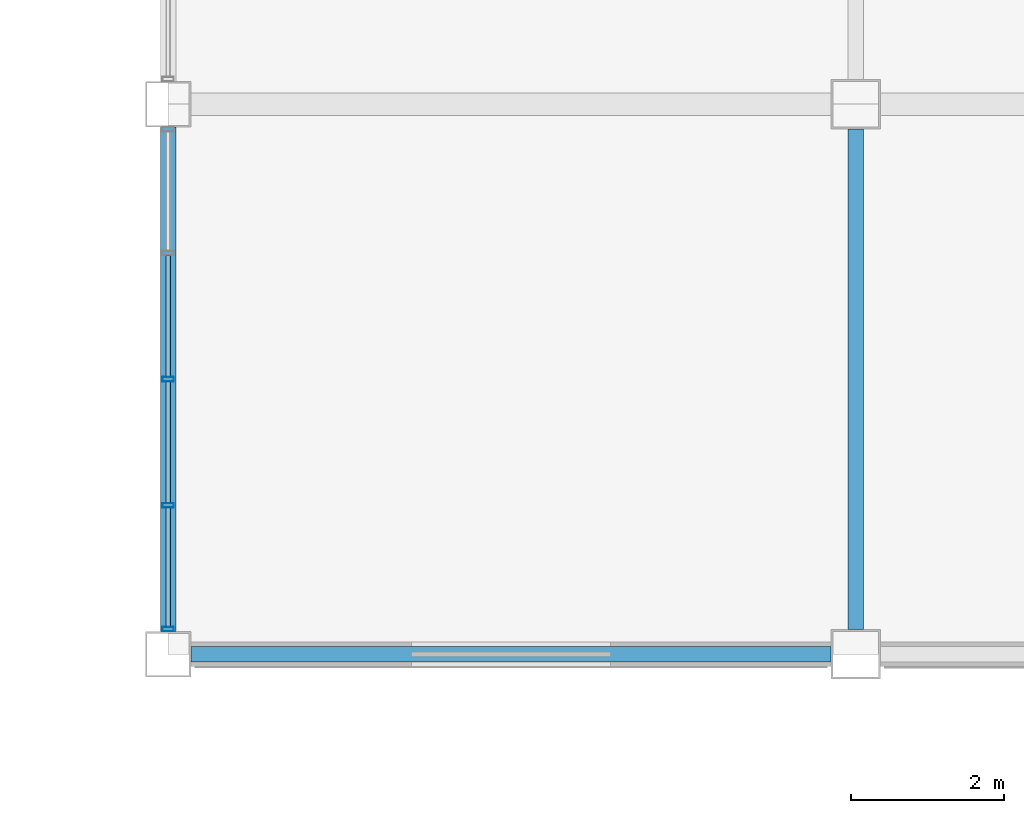
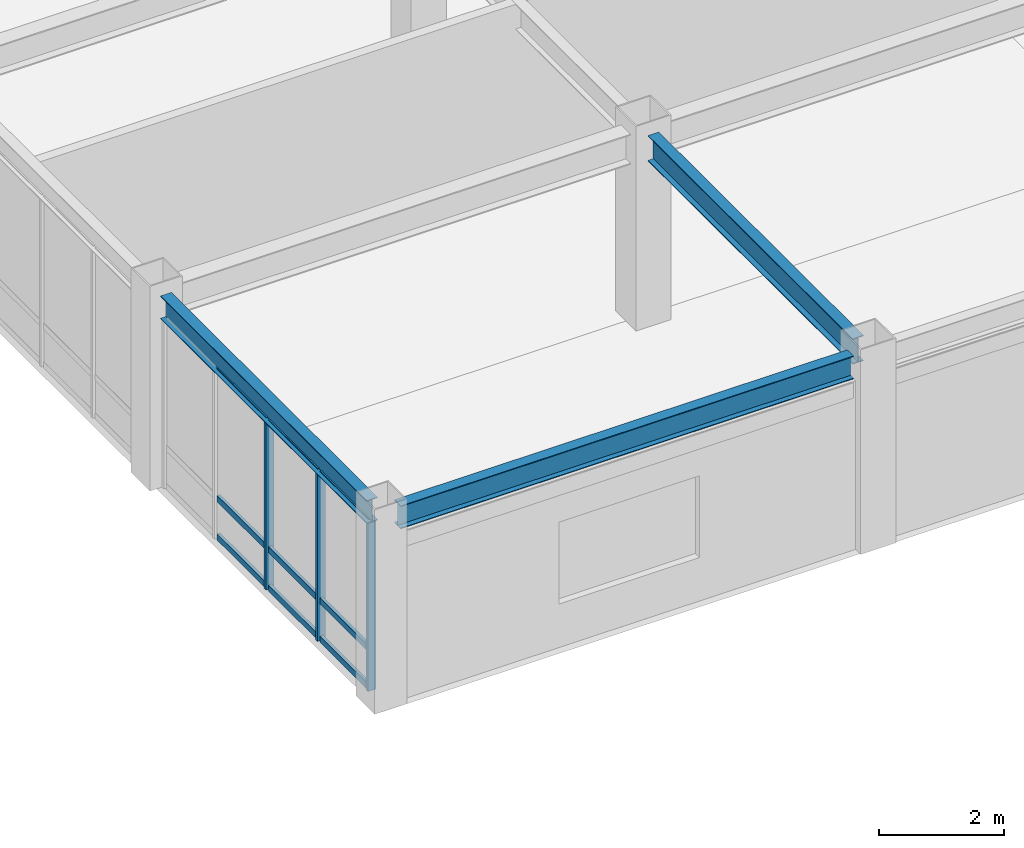
# One storey, part 48 of 113: 12 members, 3 beams, 1 element without a shape of its own.
"""IFC4 building model written with IfcOpenShell, lengths in metres."""

from ifc_helpers import new_model, si_unit, direction, frame, origin, origin_2d, place, context, subcontext, project, spatial, hollow_rectangle, i_section, extrude, material, material_profile, profile_set, type_object, element, aggregate, save


model = new_model("IFC4")

# Units and contexts
model_context = context("Model", 3, precision=1e-05, world=origin(), true_north=direction((0.0, 1.0)))
body_context = subcontext(model_context, "Body", "Model", "MODEL_VIEW")
ifc_project = project(units=[si_unit("LENGTHUNIT", "METRE"), si_unit("AREAUNIT", "SQUARE_METRE"), si_unit("VOLUMEUNIT", "CUBIC_METRE"), si_unit("PLANEANGLEUNIT", "RADIAN"), si_unit("MASSUNIT", "GRAM", prefix="KILO")], contexts=[model_context])

# Site, building, storey
site_placement = place(None, origin())
site = spatial("IfcSite", under=ifc_project, at=site_placement, CompositionType="ELEMENT")
building_placement = place(site_placement, origin())
building = spatial("IfcBuilding", under=site, at=building_placement, Name="Kazanami Central Library", CompositionType="ELEMENT")
storey_placement = place(building_placement, frame((0.0, 0.0, 8.800048828125)))
storey = spatial("IfcBuildingStorey", under=building, at=storey_placement, Name="L03", CompositionType="ELEMENT", Elevation=8.800048828125)

# Beams
ifc_material_1 = material(Name="Steel SN490B (325 MPa)", Category="steel")
ifc_material_profile_1 = material_profile(ifc_material_1, i_section(OverallWidth=0.199951171875, OverallDepth=0.5, WebThickness=0.010009765625, FlangeThickness=0.01611328125, at=origin_2d()), Name="H-500x200x10x16")
ifc_profile_set_1 = profile_set([ifc_material_profile_1], Name="Steel SN490B (325 MPa)")
beam_type_1 = type_object("IfcBeamType", Name="BM-G-Y2", PredefinedType="BEAM", material=ifc_profile_set_1)
beam_1_placement = place(storey_placement, frame((126.0, 43.52294921875, 3.494873046875), z_axis=(0.0, 1.0, 0.0), x_axis=(-1.0, 0.0, 0.0)))
element("IfcBeam", 1, at=beam_1_placement, inside=storey, type_object=beam_type_1, Name="Girder G-Y2 L03 15/G-H", PredefinedType="BEAM", context=body_context, shape_type="SweptSolid", body=[
    extrude(i_section(OverallWidth=0.199951171875, OverallDepth=0.5, WebThickness=0.010009765625, FlangeThickness=0.01611328125, at=origin_2d()), origin(), (0.0, 0.0, 1.0), 6.553955078125),
])
ifc_material_profile_2 = material_profile(ifc_material_1, i_section(OverallWidth=0.199951171875, OverallDepth=0.449951171875, WebThickness=0.009033203125, FlangeThickness=0.013916015625, at=origin_2d()), Name="H-450x200x9x14")
ifc_profile_set_2 = profile_set([ifc_material_profile_2], Name="Steel SN490B (325 MPa)")
beam_type_2 = type_object("IfcBeamType", Name="BM-SP-2", PredefinedType="SPANDREL", material=ifc_profile_set_2)
beam_2_placement = place(storey_placement, frame((117.298095703125, 43.199951171875, 3.52001953125), z_axis=(1.0, 0.0, 0.0), x_axis=(0.0, 1.0, 0.0)))
element("IfcBeam", 2, at=beam_2_placement, inside=storey, type_object=beam_type_2, Name="Girder SP-2 L03 G/14-15", PredefinedType="SPANDREL", context=body_context, shape_type="SweptSolid", body=[
    extrude(i_section(OverallWidth=0.199951171875, OverallDepth=0.449951171875, WebThickness=0.009033203125, FlangeThickness=0.013916015625, at=origin_2d()), origin(), (0.0, 0.0, 1.0), 8.37890625),
])
beam_3_placement = place(storey_placement, frame((117.0, 43.498046875, 3.52001953125), z_axis=(0.0, 1.0, 0.0), x_axis=(-1.0, 0.0, 0.0)))
element("IfcBeam", 3, at=beam_3_placement, inside=storey, type_object=beam_type_2, Name="Girder SP-2 L03 14/G-H", PredefinedType="SPANDREL", context=body_context, shape_type="SweptSolid", body=[
    extrude(i_section(OverallWidth=0.199951171875, OverallDepth=0.449951171875, WebThickness=0.009033203125, FlangeThickness=0.013916015625, at=origin_2d()), origin(), (0.0, 0.0, 1.0), 6.60400390625),
])

# Curtain wall, members
ifc_material_2 = material(Name="Acid-Etched Low-E Laminated Glass", Category="glass")
curtain_wall_type = type_object("IfcCurtainWallType", Name="CW-6600x3295-M180", PredefinedType="USERDEFINED", material=ifc_material_2)
curtain_wall_placement = place(storey_placement, origin())
curtain_wall = element("IfcCurtainWall", 4, at=curtain_wall_placement, inside=storey, type_object=curtain_wall_type, Name="Covered Link Bridge Curtain Wall CW-36 L03 W-14-06", ObjectType="UNITISED CURTAIN WALL", PredefinedType="USERDEFINED")
ifc_material_3 = material(Name="Anodised Aluminium A6063-T5", Category="aluminium")
ifc_material_profile_3 = material_profile(ifc_material_3, hollow_rectangle(XDim=0.06005859375, YDim=0.14990234375, WallThickness=0.00390625, at=origin_2d()), Name="ALU-MULL-60x150x4")
ifc_profile_set_3 = profile_set([ifc_material_profile_3], Name="Anodised Aluminium A6063-T5")
member_type_1 = type_object("IfcMemberType", Name="MEM-CW-M3", PredefinedType="MULLION", material=ifc_profile_set_3)
member_1_placement = place(storey_placement, frame((117.0, 43.530029296875, 0.0), z_axis=(0.0, 0.0, 1.0), x_axis=(0.0, 1.0, 0.0)))
member_1 = element("IfcMember", 5, at=member_1_placement, type_object=member_type_1, Name="CW-36 mullion 1", PredefinedType="MULLION", context=body_context, shape_type="SweptSolid", body=[
    extrude(hollow_rectangle(XDim=0.06005859375, YDim=0.14990234375, WallThickness=0.00390625, at=origin_2d()), origin(), (0.0, 0.0, 1.0), 3.294921875),
])
member_2_placement = place(storey_placement, frame((117.0, 45.14990234375, 0.0), z_axis=(0.0, 0.0, 1.0), x_axis=(0.0, 1.0, 0.0)))
member_2 = element("IfcMember", 6, at=member_2_placement, type_object=member_type_1, Name="CW-36 mullion 2", PredefinedType="MULLION", context=body_context, shape_type="SweptSolid", body=[
    extrude(hollow_rectangle(XDim=0.06005859375, YDim=0.14990234375, WallThickness=0.00390625, at=origin_2d()), origin(), (0.0, 0.0, 1.0), 3.294921875),
])
member_3_placement = place(storey_placement, frame((117.0, 46.800048828125, 0.0), z_axis=(0.0, 0.0, 1.0), x_axis=(0.0, 1.0, 0.0)))
member_3 = element("IfcMember", 7, at=member_3_placement, type_object=member_type_1, Name="CW-36 mullion 3", PredefinedType="MULLION", context=body_context, shape_type="SweptSolid", body=[
    extrude(hollow_rectangle(XDim=0.06005859375, YDim=0.14990234375, WallThickness=0.00390625, at=origin_2d()), origin(), (0.0, 0.0, 1.0), 3.294921875),
])
ifc_material_profile_4 = material_profile(ifc_material_3, hollow_rectangle(XDim=0.06005859375, YDim=0.1201171875, WallThickness=0.00341796875, at=origin_2d()), Name="ALU-TRAN-60x120x3.5")
ifc_profile_set_4 = profile_set([ifc_material_profile_4], Name="Anodised Aluminium A6063-T5")
member_type_2 = type_object("IfcMemberType", Name="MEM-CW-T3", PredefinedType="USERDEFINED", material=ifc_profile_set_4)
member_4_placement = place(storey_placement, frame((117.0, 43.56005859375, 0.030029296875), z_axis=(0.0, 1.0, 0.0), x_axis=(-1.0, 0.0, 0.0)))
member_4 = element("IfcMember", 8, at=member_4_placement, type_object=member_type_2, Name="CW-36 transom 1.1", ObjectType="TRANSOM", PredefinedType="USERDEFINED", context=body_context, shape_type="SweptSolid", body=[
    extrude(hollow_rectangle(XDim=0.06005859375, YDim=0.1201171875, WallThickness=0.00341796875, at=origin_2d()), origin(), (0.0, 0.0, 1.0), 1.56005859375),
])
member_5_placement = place(storey_placement, frame((117.0, 43.56005859375, 0.780029296875), z_axis=(0.0, 1.0, 0.0), x_axis=(-1.0, 0.0, 0.0)))
member_5 = element("IfcMember", 9, at=member_5_placement, type_object=member_type_2, Name="CW-36 transom 1.2", ObjectType="TRANSOM", PredefinedType="USERDEFINED", context=body_context, shape_type="SweptSolid", body=[
    extrude(hollow_rectangle(XDim=0.06005859375, YDim=0.1201171875, WallThickness=0.00341796875, at=origin_2d()), origin(), (0.0, 0.0, 1.0), 1.56005859375),
])
member_6_placement = place(storey_placement, frame((117.0, 43.56005859375, 3.264892578125), z_axis=(0.0, 1.0, 0.0), x_axis=(-1.0, 0.0, 0.0)))
member_6 = element("IfcMember", 10, at=member_6_placement, type_object=member_type_2, Name="CW-36 transom 1.3", ObjectType="TRANSOM", PredefinedType="USERDEFINED", context=body_context, shape_type="SweptSolid", body=[
    extrude(hollow_rectangle(XDim=0.06005859375, YDim=0.1201171875, WallThickness=0.00341796875, at=origin_2d()), origin(), (0.0, 0.0, 1.0), 1.56005859375),
])
member_7_placement = place(storey_placement, frame((117.0, 45.179931640625, 0.030029296875), z_axis=(0.0, 1.0, 0.0), x_axis=(-1.0, 0.0, 0.0)))
member_7 = element("IfcMember", 11, at=member_7_placement, type_object=member_type_2, Name="CW-36 transom 2.1", ObjectType="TRANSOM", PredefinedType="USERDEFINED", context=body_context, shape_type="SweptSolid", body=[
    extrude(hollow_rectangle(XDim=0.06005859375, YDim=0.1201171875, WallThickness=0.00341796875, at=origin_2d()), origin(), (0.0, 0.0, 1.0), 1.590087890625),
])
member_8_placement = place(storey_placement, frame((117.0, 45.179931640625, 0.780029296875), z_axis=(0.0, 1.0, 0.0), x_axis=(-1.0, 0.0, 0.0)))
member_8 = element("IfcMember", 12, at=member_8_placement, type_object=member_type_2, Name="CW-36 transom 2.2", ObjectType="TRANSOM", PredefinedType="USERDEFINED", context=body_context, shape_type="SweptSolid", body=[
    extrude(hollow_rectangle(XDim=0.06005859375, YDim=0.1201171875, WallThickness=0.00341796875, at=origin_2d()), origin(), (0.0, 0.0, 1.0), 1.590087890625),
])
member_9_placement = place(storey_placement, frame((117.0, 45.179931640625, 3.264892578125), z_axis=(0.0, 1.0, 0.0), x_axis=(-1.0, 0.0, 0.0)))
member_9 = element("IfcMember", 13, at=member_9_placement, type_object=member_type_2, Name="CW-36 transom 2.3", ObjectType="TRANSOM", PredefinedType="USERDEFINED", context=body_context, shape_type="SweptSolid", body=[
    extrude(hollow_rectangle(XDim=0.06005859375, YDim=0.1201171875, WallThickness=0.00341796875, at=origin_2d()), origin(), (0.0, 0.0, 1.0), 1.590087890625),
])
member_10_placement = place(storey_placement, frame((117.0, 46.830078125, 0.030029296875), z_axis=(0.0, 1.0, 0.0), x_axis=(-1.0, 0.0, 0.0)))
member_10 = element("IfcMember", 14, at=member_10_placement, type_object=member_type_2, Name="CW-36 transom 3.1", ObjectType="TRANSOM", PredefinedType="USERDEFINED", context=body_context, shape_type="SweptSolid", body=[
    extrude(hollow_rectangle(XDim=0.06005859375, YDim=0.1201171875, WallThickness=0.00341796875, at=origin_2d()), origin(), (0.0, 0.0, 1.0), 1.58984375),
])
member_11_placement = place(storey_placement, frame((117.0, 46.830078125, 0.780029296875), z_axis=(0.0, 1.0, 0.0), x_axis=(-1.0, 0.0, 0.0)))
member_11 = element("IfcMember", 15, at=member_11_placement, type_object=member_type_2, Name="CW-36 transom 3.2", ObjectType="TRANSOM", PredefinedType="USERDEFINED", context=body_context, shape_type="SweptSolid", body=[
    extrude(hollow_rectangle(XDim=0.06005859375, YDim=0.1201171875, WallThickness=0.00341796875, at=origin_2d()), origin(), (0.0, 0.0, 1.0), 1.58984375),
])
member_12_placement = place(storey_placement, frame((117.0, 46.830078125, 3.264892578125), z_axis=(0.0, 1.0, 0.0), x_axis=(-1.0, 0.0, 0.0)))
member_12 = element("IfcMember", 16, at=member_12_placement, type_object=member_type_2, Name="CW-36 transom 3.3", ObjectType="TRANSOM", PredefinedType="USERDEFINED", context=body_context, shape_type="SweptSolid", body=[
    extrude(hollow_rectangle(XDim=0.06005859375, YDim=0.1201171875, WallThickness=0.00341796875, at=origin_2d()), origin(), (0.0, 0.0, 1.0), 1.58984375),
])
aggregate(curtain_wall, [member_1, member_2, member_3, member_4, member_5, member_6, member_7, member_8, member_9, member_10, member_11, member_12])

save(model, "model.ifc")
